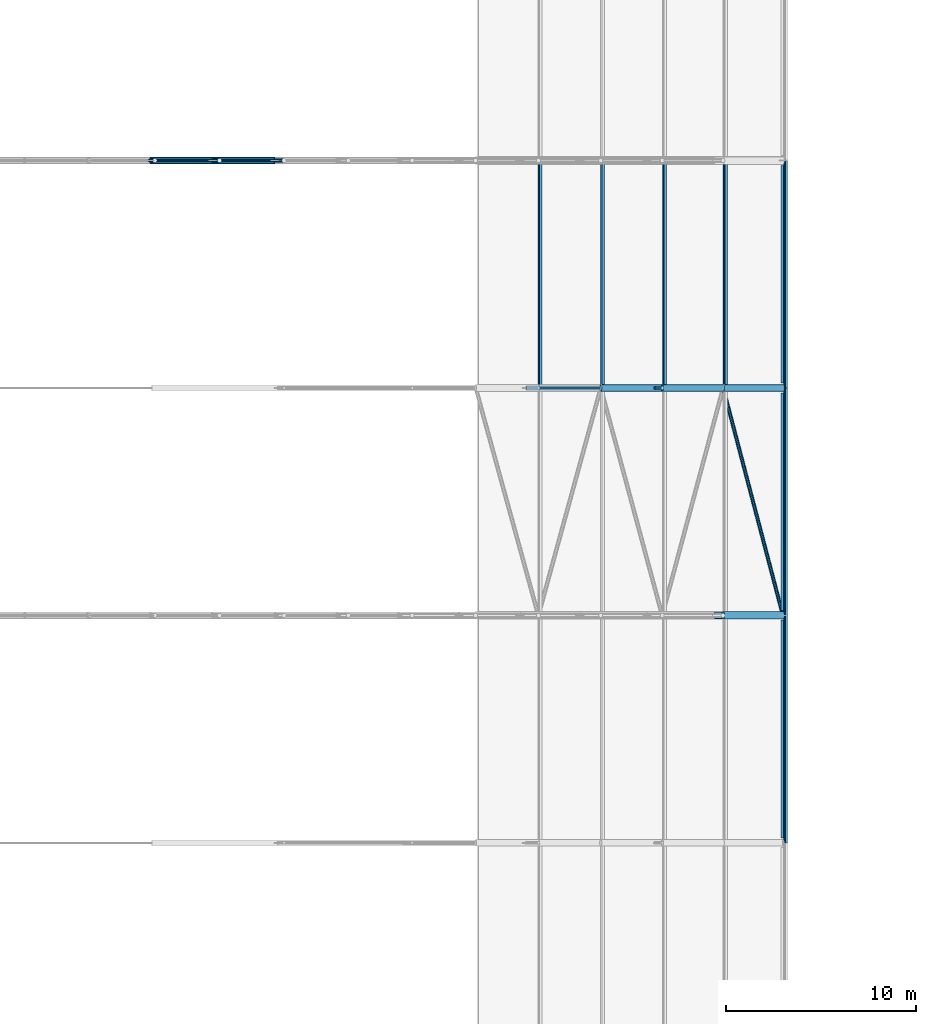
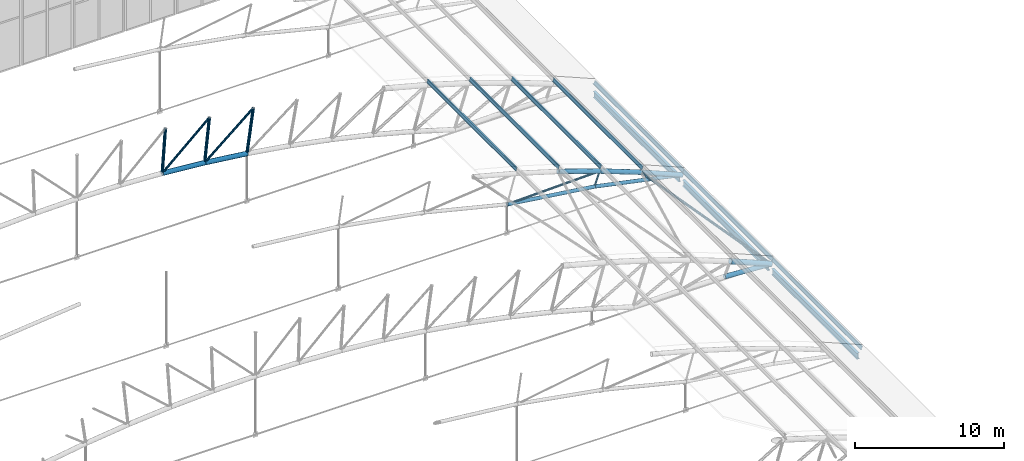
# One storey, part 190 of 321: 24 members, 3 beams.
"""IFC4 building model written with IfcOpenShell, lengths in metres."""

from ifc_helpers import new_model, si_unit, direction, frame, origin, origin_2d, place, context, subcontext, project, spatial, hollow_circle, i_section, extrude, material, material_profile, profile_set, type_object, element, save


model = new_model("IFC4")

# Units and contexts
model_context = context("Model", 3, precision=1e-05, world=origin(), true_north=direction((0.0, 1.0)))
body_context = subcontext(model_context, "Body", "Model", "MODEL_VIEW")
ifc_project = project(units=[si_unit("LENGTHUNIT", "METRE"), si_unit("AREAUNIT", "SQUARE_METRE"), si_unit("VOLUMEUNIT", "CUBIC_METRE"), si_unit("PLANEANGLEUNIT", "RADIAN"), si_unit("MASSUNIT", "GRAM", prefix="KILO")], contexts=[model_context])

# Site, building, storey
site_placement = place(None, origin())
site = spatial("IfcSite", under=ifc_project, at=site_placement, CompositionType="ELEMENT")
building_placement = place(site_placement, origin())
building = spatial("IfcBuilding", under=site, at=building_placement, Name="Ravi Spectrum Wholesale Market", CompositionType="ELEMENT")
storey_placement = place(building_placement, frame((0.0, 0.0, 10.800048828125)))
storey = spatial("IfcBuildingStorey", under=building, at=storey_placement, Name="L02", CompositionType="ELEMENT", Elevation=10.800048828125)

# Members
ifc_material_1 = material(Name="Steel S355", Category="steel")
ifc_material_profile_1 = material_profile(ifc_material_1, hollow_circle(Radius=0.06982421875, WallThickness=0.0048828125, at=origin_2d()))
ifc_profile_set_1 = profile_set([ifc_material_profile_1], Name="Steel S355")
member_type_1 = type_object("IfcMemberType", Name="CHS 139.7x5 post", PredefinedType="POST", material=ifc_profile_set_1)
member_1_placement = place(storey_placement, frame((103.636962890625, 162.0, 2.56494140625), z_axis=(-0.338114270461, 0.0, -0.941105063269), x_axis=(0.0, -1.0, 0.0)))
element("IfcMember", 1, at=member_1_placement, inside=storey, type_object=member_type_1, Name="H1-MB-L02-956", PredefinedType="POST", context=body_context, shape_type="SweptSolid", body=[
    extrude(hollow_circle(Radius=0.06982421875, WallThickness=0.0048828125, at=origin_2d()), origin(), (0.0, 0.0, 1.0), 1.199951171875),
])
ifc_material_2 = material(Name="Steel S355", Category="steel")
ifc_material_profile_2 = material_profile(ifc_material_2, hollow_circle(Radius=0.084228515625, WallThickness=0.00634765625, at=origin_2d()))
ifc_profile_set_2 = profile_set([ifc_material_profile_2], Name="Steel S355")
member_type_2 = type_object("IfcMemberType", Name="CHS 168.3x6.3 brace", PredefinedType="BRACE", material=ifc_profile_set_2)
member_2_placement = place(storey_placement, frame((103.636962890625, 162.0, 2.56494140625), z_axis=(-0.999561599338, 0.0, -0.029607585673), x_axis=(0.0, -1.0, 0.0)))
element("IfcMember", 2, at=member_2_placement, inside=storey, type_object=member_type_2, Name="H1-MB-L02-966", PredefinedType="BRACE", context=body_context, shape_type="SweptSolid", body=[
    extrude(hollow_circle(Radius=0.084228515625, WallThickness=0.00634765625, at=origin_2d()), origin(), (0.0, 0.0, 1.0), 7.1904296875),
])
for number, where, z_axis, x_axis, name in (
    (3, (80.273193359375, 174.0, 7.867919921875), (-0.743626505142, 0.0, -0.668595259369), (0.0, -1.0, 0.0), "H1-MB-L02-1057"),
    (4, (83.678466796875, 174.0, 7.45458984375), (-0.766252893925, 0.0, -0.642539105854), (0.0, -1.0, 0.0), "H1-MB-L02-1058"),
):
    element("IfcMember", number, at=place(storey_placement, frame(where, z_axis=z_axis, x_axis=x_axis)), inside=storey, type_object=member_type_2, Name=name, PredefinedType="BRACE", context=body_context, shape_type="SweptSolid", body=[
        extrude(hollow_circle(Radius=0.084228515625, WallThickness=0.00634765625, at=origin_2d()), origin(), (0.0, 0.0, 1.0), 4.9296875),
    ])
ifc_material_3 = material(Name="Steel S355", Category="steel")
ifc_material_profile_3 = material_profile(ifc_material_3, hollow_circle(Radius=0.096923828125, WallThickness=0.00634765625, at=origin_2d()))
ifc_profile_set_3 = profile_set([ifc_material_profile_3], Name="Steel S355")
member_type_3 = type_object("IfcMemberType", Name="CHS 193.7x6.3 brace", PredefinedType="BRACE", material=ifc_profile_set_3)
member_3_placement = place(storey_placement, frame((106.845458984375, 162.0, 1.34912109375), z_axis=(0.252750787053, -0.961474087551, -0.108095414384), x_axis=(0.967141027223, 0.254240503189, 0.0)))
element("IfcMember", 5, at=member_3_placement, inside=storey, type_object=member_type_3, Name="H1-MB-L02-1703", PredefinedType="BRACE", context=body_context, shape_type="SweptSolid", body=[
    extrude(hollow_circle(Radius=0.096923828125, WallThickness=0.00634765625, at=origin_2d()), origin(), (0.0, 0.0, 1.0), 12.48095703125),
])
ifc_material_4 = material(Name="Steel S355", Category="steel")
ifc_material_profile_4 = material_profile(ifc_material_4, hollow_circle(Radius=0.109619140625, WallThickness=0.008056640625, at=origin_2d()))
ifc_profile_set_4 = profile_set([ifc_material_profile_4], Name="Steel S355")
member_type_4 = type_object("IfcMemberType", Name="CHS 219.1x8 post", PredefinedType="POST", material=ifc_profile_set_4)
member_4_placement = place(storey_placement, frame((76.85546875, 174.0, 8.163330078125), z_axis=(-0.068904502548, 0.0, -0.997623260319), x_axis=(0.0, -1.0, 0.0)))
element("IfcMember", 6, at=member_4_placement, inside=storey, type_object=member_type_4, Name="H1-MB-L02-1034", PredefinedType="POST", context=body_context, shape_type="SweptSolid", body=[
    extrude(hollow_circle(Radius=0.109619140625, WallThickness=0.008056640625, at=origin_2d()), origin(), (0.0, 0.0, 1.0), 3.599853515625),
])
member_5_placement = place(storey_placement, frame((80.273193359375, 174.0, 7.867919921875), z_axis=(-0.103350310801, 0.0, -0.994645018716), x_axis=(0.0, -1.0, 0.0)))
element("IfcMember", 7, at=member_5_placement, inside=storey, type_object=member_type_4, Name="H1-MB-L02-1035", PredefinedType="POST", context=body_context, shape_type="SweptSolid", body=[
    extrude(hollow_circle(Radius=0.109619140625, WallThickness=0.008056640625, at=origin_2d()), origin(), (0.0, 0.0, 1.0), 3.60009765625),
])
member_6_placement = place(storey_placement, frame((83.678466796875, 174.0, 7.45458984375), z_axis=(-0.137603486835, 0.0, -0.990487395382), x_axis=(0.0, -1.0, 0.0)))
element("IfcMember", 8, at=member_6_placement, inside=storey, type_object=member_type_4, Name="H1-MB-L02-1036", PredefinedType="POST", context=body_context, shape_type="SweptSolid", body=[
    extrude(hollow_circle(Radius=0.109619140625, WallThickness=0.008056640625, at=origin_2d()), origin(), (0.0, 0.0, 1.0), 3.599853515625),
])
ifc_material_5 = material(Name="Steel S355", Category="steel")
ifc_material_profile_5 = material_profile(ifc_material_5, hollow_circle(Radius=0.136474609375, WallThickness=0.010009765625, at=origin_2d()))
ifc_profile_set_5 = profile_set([ifc_material_profile_5], Name="Steel S355")
member_type_5 = type_object("IfcMemberType", Name="CHS 273x10 chord", PredefinedType="CHORD", material=ifc_profile_set_5)
member_7_placement = place(storey_placement, frame((96.44970703125, 162.0, 2.35205078125), z_axis=(0.990990766788, 0.0, -0.133930206233), x_axis=(0.0, 1.0, 0.0)))
element("IfcMember", 9, at=member_7_placement, inside=storey, type_object=member_type_5, Name="H1-MB-L02-944", PredefinedType="CHORD", context=body_context, shape_type="SweptSolid", body=[
    extrude(hollow_circle(Radius=0.136474609375, WallThickness=0.010009765625, at=origin_2d()), origin(), (0.0, 0.0, 1.0), 6.84326171875),
])
member_8_placement = place(storey_placement, frame((103.231201171875, 162.0, 1.435546875), z_axis=(0.978978953118, 0.0, -0.203961293758), x_axis=(0.0, 1.0, 0.0)))
element("IfcMember", 10, at=member_8_placement, inside=storey, type_object=member_type_5, Name="H1-MB-L02-945", PredefinedType="CHORD", context=body_context, shape_type="SweptSolid", body=[
    extrude(hollow_circle(Radius=0.136474609375, WallThickness=0.010009765625, at=origin_2d()), origin(), (0.0, 0.0, 1.0), 6.924560546875),
])
ifc_material_6 = material(Name="Steel S355", Category="steel")
ifc_material_profile_6 = material_profile(ifc_material_6, hollow_circle(Radius=0.177734375, WallThickness=0.012451171875, at=origin_2d()))
ifc_profile_set_6 = profile_set([ifc_material_profile_6], Name="Steel S355")
member_type_6 = type_object("IfcMemberType", Name="CHS 355.6x12.5 chord", PredefinedType="CHORD", material=ifc_profile_set_6)
member_9_placement = place(storey_placement, frame((106.3916015625, 150.0, 0.2109375), z_axis=(0.998295734367, 0.0, -0.058357747936), x_axis=(0.0, 1.0, 0.0)))
element("IfcMember", 11, at=member_9_placement, inside=storey, type_object=member_type_6, Name="H1-MB-L02-858", PredefinedType="CHORD", context=body_context, shape_type="SweptSolid", body=[
    extrude(hollow_circle(Radius=0.177734375, WallThickness=0.012451171875, at=origin_2d()), origin(), (0.0, 0.0, 1.0), 3.614501953125),
])
for number, where, z_axis, x_axis, name in (
    (12, (100.388427734375, 162.0, 3.66943359375), (0.946773612235, 0.0, -0.321900182005), (0.0, 1.0, 0.0), "H1-MB-L02-931"),
    (13, (103.636962890625, 162.0, 2.56494140625), (0.935113010382, 0.0, -0.354349626518), (0.0, 1.0, 0.0), "H1-MB-L02-932"),
):
    element("IfcMember", number, at=place(storey_placement, frame(where, z_axis=z_axis, x_axis=x_axis)), inside=storey, type_object=member_type_6, Name=name, PredefinedType="CHORD", context=body_context, shape_type="SweptSolid", body=[
        extrude(hollow_circle(Radius=0.177734375, WallThickness=0.012451171875, at=origin_2d()), origin(), (0.0, 0.0, 1.0), 3.43115234375),
    ])
member_10_placement = place(storey_placement, frame((106.845458984375, 162.0, 1.34912109375), z_axis=(0.922323660423, 0.0, -0.386418251929), x_axis=(0.0, 1.0, 0.0)))
element("IfcMember", 14, at=member_10_placement, inside=storey, type_object=member_type_6, Name="H1-MB-L02-933", PredefinedType="CHORD", context=body_context, shape_type="SweptSolid", body=[
    extrude(hollow_circle(Radius=0.177734375, WallThickness=0.012451171875, at=origin_2d()), origin(), (0.0, 0.0, 1.0), 3.431396484375),
])
member_11_placement = place(storey_placement, frame((76.607421875, 174.0, 4.572021484375), z_axis=(0.99627955827, 0.0, -0.08618028645), x_axis=(0.0, 1.0, 0.0)))
element("IfcMember", 15, at=member_11_placement, inside=storey, type_object=member_type_6, Name="H1-MB-L02-1011", PredefinedType="CHORD", context=body_context, shape_type="SweptSolid", body=[
    extrude(hollow_circle(Radius=0.177734375, WallThickness=0.012451171875, at=origin_2d()), origin(), (0.0, 0.0, 1.0), 3.305908203125),
])
member_12_placement = place(storey_placement, frame((79.901123046875, 174.0, 4.287109375), z_axis=(0.99272014244, 0.0, -0.120443840833), x_axis=(0.0, 1.0, 0.0)))
element("IfcMember", 16, at=member_12_placement, inside=storey, type_object=member_type_6, Name="H1-MB-L02-1012", PredefinedType="CHORD", context=body_context, shape_type="SweptSolid", body=[
    extrude(hollow_circle(Radius=0.177734375, WallThickness=0.012451171875, at=origin_2d()), origin(), (0.0, 0.0, 1.0), 3.30615234375),
])
ifc_material_7 = material(Name="Steel S355", Category="steel")
ifc_material_profile_7 = material_profile(ifc_material_7, hollow_circle(Radius=0.203125, WallThickness=0.01611328125, at=origin_2d()))
ifc_profile_set_7 = profile_set([ifc_material_profile_7], Name="Steel S355")
member_type_7 = type_object("IfcMemberType", Name="CHS 406.4x16 chord", PredefinedType="CHORD", material=ifc_profile_set_7)
member_13_placement = place(storey_placement, frame((106.836181640625, 150.0, 1.325439453125), z_axis=(0.922331882778, 0.0, -0.386398625789), x_axis=(0.0, 1.0, 0.0)))
element("IfcMember", 17, at=member_13_placement, inside=storey, type_object=member_type_7, Name="H1-MB-L02-834", PredefinedType="CHORD", context=body_context, shape_type="SweptSolid", body=[
    extrude(hollow_circle(Radius=0.203125, WallThickness=0.01611328125, at=origin_2d()), origin(), (0.0, 0.0, 1.0), 3.43017578125),
])
ifc_material_8 = material(Name="Steel S355", Category="steel")
ifc_material_profile_8 = material_profile(ifc_material_8, i_section(OverallWidth=0.135009765625, OverallDepth=0.27001953125, WebThickness=0.006591796875, FlangeThickness=0.01025390625, at=origin_2d()))
ifc_profile_set_8 = profile_set([ifc_material_profile_8], Name="Steel S355")
member_type_8 = type_object("IfcMemberType", Name="IPE 270 purlin", PredefinedType="PURLIN", material=ifc_profile_set_8)
for number, where, z_axis, x_axis, name in (
    (18, (110.135986328125, 138.0, 0.3095703125), (0.0, 1.0, 0.0), (-0.915525334521, 0.0, 0.402260316027), "H1-MB-L02-1483"),
    (19, (110.135986328125, 150.0, 0.3095703125), (0.0, 1.0, 0.0), (-0.915525334521, 0.0, 0.402260316027), "H1-MB-L02-1508"),
    (20, (97.18896484375, 162.0, 4.962158203125), (0.0, 1.0, 0.0), (-0.96215600485, 0.0, 0.272499215286), "H1-MB-L02-1529"),
    (21, (100.484130859375, 162.0, 3.96728515625), (0.0, 1.0, 0.0), (-0.952184497174, 0.0, 0.305523621577), "H1-MB-L02-1530"),
    (22, (103.74267578125, 162.0, 2.859375), (0.0, 1.0, 0.0), (-0.941079849597, 0.0, 0.338184441811), "H1-MB-L02-1531"),
    (23, (106.96142578125, 162.0, 1.6396484375), (0.0, 1.0, 0.0), (-0.928855283584, 0.0, 0.370442792017), "H1-MB-L02-1532"),
    (24, (110.135986328125, 162.0, 0.3095703125), (0.0, 1.0, 0.0), (-0.915525334521, 0.0, 0.402260316027), "H1-MB-L02-1533"),
):
    element("IfcMember", number, at=place(storey_placement, frame(where, z_axis=z_axis, x_axis=x_axis)), inside=storey, type_object=member_type_8, Name=name, PredefinedType="PURLIN", context=body_context, shape_type="SweptSolid", body=[
        extrude(i_section(OverallWidth=0.135009765625, OverallDepth=0.27001953125, WebThickness=0.006591796875, FlangeThickness=0.01025390625, at=origin_2d()), origin(), (0.0, 0.0, 1.0), 12.0),
    ])

# Beams
ifc_material_9 = material(Name="Steel S355", Category="steel")
ifc_material_profile_9 = material_profile(ifc_material_9, i_section(OverallWidth=0.199951171875, OverallDepth=0.5, WebThickness=0.01025390625, FlangeThickness=0.01611328125, at=origin_2d()))
ifc_profile_set_9 = profile_set([ifc_material_profile_9], Name="Steel S355")
beam_type = type_object("IfcBeamType", Name="IPE 500 girder", PredefinedType="BEAM", material=ifc_profile_set_9)
for number, where, z_axis, x_axis, name in (
    (25, (110.0, 138.25390625, -0.449951171875), (0.0, 1.0, 0.0), (-1.0, 0.0, 0.0), "H1-BM-L02-024"),
    (26, (110.0, 150.25390625, -0.449951171875), (0.0, 1.0, 0.0), (-1.0, 0.0, 0.0), "H1-BM-L02-025"),
    (27, (110.0, 162.25390625, -0.449951171875), (0.0, 1.0, 0.0), (-1.0, 0.0, 0.0), "H1-BM-L02-026"),
):
    element("IfcBeam", number, at=place(storey_placement, frame(where, z_axis=z_axis, x_axis=x_axis)), inside=storey, type_object=beam_type, Name=name, PredefinedType="BEAM", context=body_context, shape_type="SweptSolid", body=[
        extrude(i_section(OverallWidth=0.199951171875, OverallDepth=0.5, WebThickness=0.01025390625, FlangeThickness=0.01611328125, at=origin_2d()), origin(), (0.0, 0.0, 1.0), 11.4921875),
    ])

save(model, "model.ifc")
